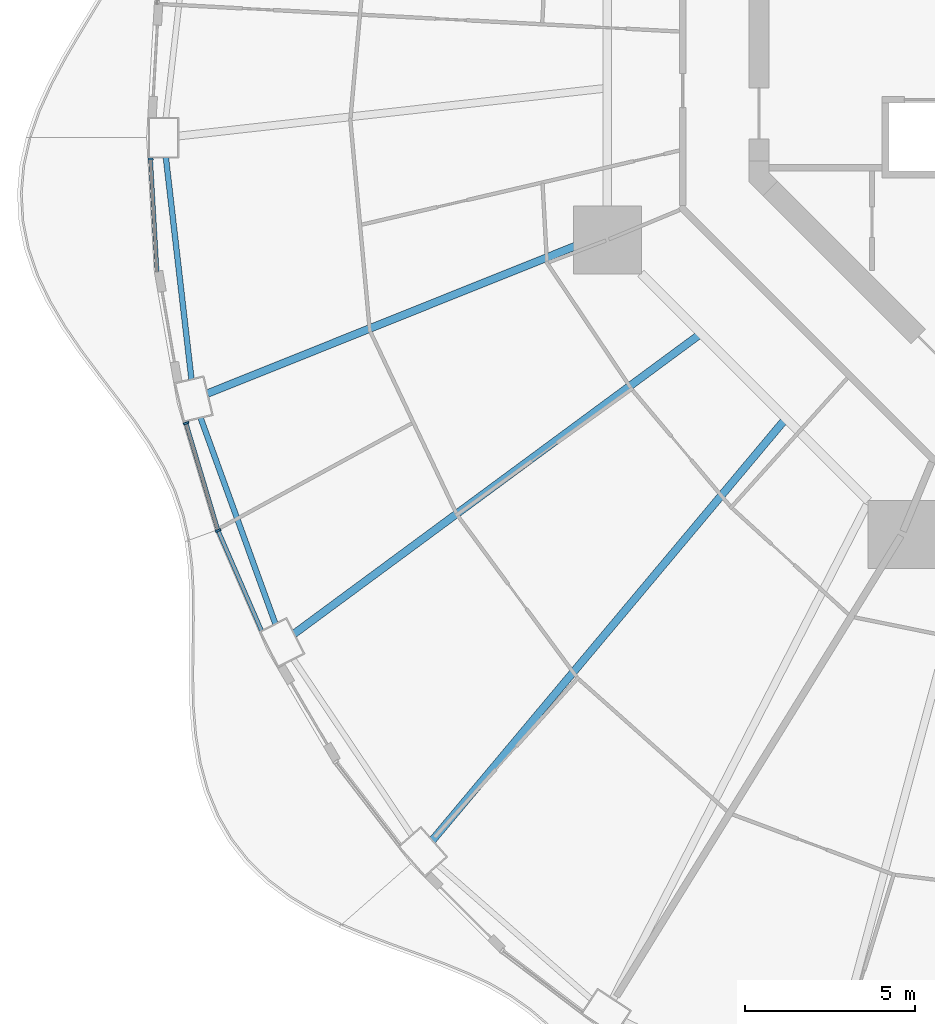
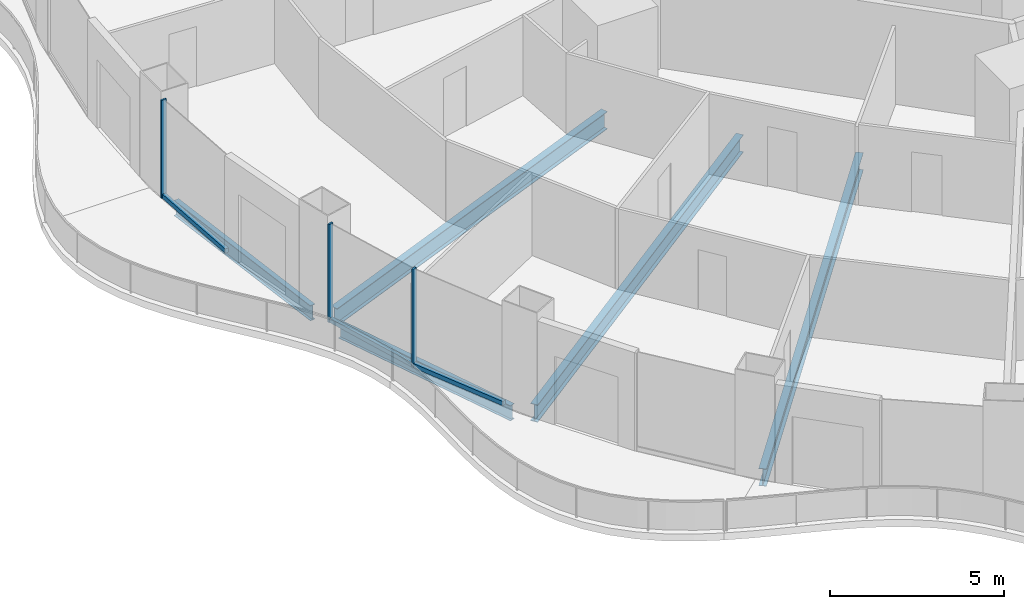
# One storey, part 3 of 20: 6 members, 5 beams, 3 elements without a shape of their own.
"""IFC4 building model written with IfcOpenShell, lengths in metres."""

from ifc_helpers import new_model, si_unit, direction, frame, origin, origin_2d, place, context, subcontext, project, spatial, rectangle, i_section, extrude, material, layer, layer_set, material_profile, profile_set, type_object, element, aggregate, save


model = new_model("IFC4")

# Units and contexts
model_context = context("Model", 3, precision=1e-05, world=origin(), true_north=direction((0.0, 1.0)))
body_context = subcontext(model_context, "Body", "Model", "MODEL_VIEW")
ifc_project = project(units=[si_unit("LENGTHUNIT", "METRE"), si_unit("AREAUNIT", "SQUARE_METRE"), si_unit("VOLUMEUNIT", "CUBIC_METRE"), si_unit("PLANEANGLEUNIT", "RADIAN"), si_unit("MASSUNIT", "GRAM", prefix="KILO")], contexts=[model_context])

# Site, building, storey
site_placement = place(None, origin())
site = spatial("IfcSite", under=ifc_project, at=site_placement, CompositionType="ELEMENT")
building_placement = place(site_placement, origin())
building = spatial("IfcBuilding", under=site, at=building_placement, Name="Nagisa Residences", CompositionType="ELEMENT")
storey_placement = place(building_placement, frame((0.0, 0.0, 145.5)))
storey = spatial("IfcBuildingStorey", under=building, at=storey_placement, Name="L36", CompositionType="ELEMENT", Elevation=145.5)

# Curtain wall, member
ifc_material_1 = material(Name="Concrete-coloured aluminium curtain wall system", Category="concrete")
ifc_layer = layer(ifc_material_1, 0.159912109375)
ifc_layer_set = layer_set([ifc_layer], Name="CW1 CURTAIN WALL")
curtain_wall_type = type_object("IfcCurtainWallType", Name="CW1 CURTAIN WALL", PredefinedType="NOTDEFINED", material=ifc_layer_set)
curtain_wall_1_placement = place(storey_placement, origin())
curtain_wall_1 = element("IfcCurtainWall", 1, at=curtain_wall_1_placement, inside=storey, type_object=curtain_wall_type, Name="cw:CW1:L36:24", PredefinedType="NOTDEFINED")
ifc_material_2 = material(Name="Concrete-coloured aluminium", Category="concrete")
ifc_material_profile_1 = material_profile(ifc_material_2, rectangle(XDim=0.159912109375, YDim=0.06005859375, at=origin_2d()), Name="CW1 MULLION 160x60")
ifc_profile_set_1 = profile_set([ifc_material_profile_1], Name="Concrete-coloured aluminium")
member_type_1 = type_object("IfcMemberType", Name="CW1 MULLION 160x60", PredefinedType="MULLION", material=ifc_profile_set_1)
member_1_placement = place(storey_placement, frame((-28.218994140625, -3.741943359375, 0.0), z_axis=(0.0, 0.0, 1.0), x_axis=(0.998345305184, 0.057503492216, 0.0)))
member_1 = element("IfcMember", 2, at=member_1_placement, type_object=member_type_1, Name="CW1 mullion", PredefinedType="MULLION", context=body_context, shape_type="SweptSolid", body=[
    extrude(rectangle(XDim=0.159912109375, YDim=0.06005859375, at=origin_2d()), origin(), (0.0, 0.0, 1.0), 3.43994140625),
])

curtain_wall_2_placement = place(storey_placement, origin())
curtain_wall_2 = element("IfcCurtainWall", 3, at=curtain_wall_2_placement, inside=storey, type_object=curtain_wall_type, Name="cw:CW1:L36:26", PredefinedType="NOTDEFINED")
member_2_placement = place(storey_placement, frame((-27.174072265625, -11.513671875, 0.0), z_axis=(0.0, 0.0, 1.0), x_axis=(0.958271310082, 0.285860274038, 0.0)))
member_2 = element("IfcMember", 4, at=member_2_placement, type_object=member_type_1, Name="CW1 mullion", PredefinedType="MULLION", context=body_context, shape_type="SweptSolid", body=[
    extrude(rectangle(XDim=0.159912109375, YDim=0.06005859375, at=origin_2d()), origin(), (0.0, 0.0, 1.0), 3.43994140625),
])

curtain_wall_3_placement = place(storey_placement, origin())
curtain_wall_3 = element("IfcCurtainWall", 5, at=curtain_wall_3_placement, inside=storey, type_object=curtain_wall_type, Name="cw:CW1:L36:27", PredefinedType="NOTDEFINED")
member_3_placement = place(storey_placement, frame((-26.229736328125, -14.66845703125, 0.0), z_axis=(0.0, 0.0, 1.0), x_axis=(0.917543276295, 0.397635934147, 0.0)))
member_3 = element("IfcMember", 6, at=member_3_placement, type_object=member_type_1, Name="CW1 mullion", PredefinedType="MULLION", context=body_context, shape_type="SweptSolid", body=[
    extrude(rectangle(XDim=0.159912109375, YDim=0.06005859375, at=origin_2d()), origin(), (0.0, 0.0, 1.0), 3.43994140625),
])

# Member
ifc_material_3 = material(Name="Concrete-coloured aluminium", Category="concrete")
ifc_material_profile_2 = material_profile(ifc_material_3, rectangle(XDim=0.1201171875, YDim=0.14990234375, at=origin_2d()), Name="CW1 TRANSOM 120x150")
ifc_profile_set_2 = profile_set([ifc_material_profile_2], Name="Concrete-coloured aluminium")
member_type_2 = type_object("IfcMemberType", Name="CW1 TRANSOM 120x150", PredefinedType="USERDEFINED", material=ifc_profile_set_2)
member_4_placement = place(storey_placement, frame((-28.220703125, -3.712158203125, 0.074951171875), z_axis=(0.057537829427, -0.998343326809, 0.0), x_axis=(0.998343326809, 0.057537829427, 0.0)))
member_4 = element("IfcMember", 7, at=member_4_placement, type_object=member_type_2, Name="CW1 transom", ObjectType="TRANSOM", PredefinedType="USERDEFINED", context=body_context, shape_type="SweptSolid", body=[
    extrude(rectangle(XDim=0.1201171875, YDim=0.14990234375, at=origin_2d()), origin(), (0.0, 0.0, 1.0), 3.347900390625),
])

aggregate(curtain_wall_1, [member_1, member_4])

member_5_placement = place(storey_placement, frame((-27.1826171875, -11.48486328125, 0.074951171875), z_axis=(0.285842038783, -0.958276749621, 0.0), x_axis=(0.958276749621, 0.285842038783, 0.0)))
member_5 = element("IfcMember", 8, at=member_5_placement, type_object=member_type_2, Name="CW1 transom", ObjectType="TRANSOM", PredefinedType="USERDEFINED", context=body_context, shape_type="SweptSolid", body=[
    extrude(rectangle(XDim=0.1201171875, YDim=0.14990234375, at=origin_2d()), origin(), (0.0, 0.0, 1.0), 3.302734375),
])

aggregate(curtain_wall_2, [member_2, member_5])

member_6_placement = place(storey_placement, frame((-26.24169921875, -14.64111328125, 0.074951171875), z_axis=(0.397666272939, -0.917530127771, 0.0), x_axis=(0.917530127771, 0.397666272939, 0.0)))
member_6 = element("IfcMember", 9, at=member_6_placement, type_object=member_type_2, Name="CW1 transom", ObjectType="TRANSOM", PredefinedType="USERDEFINED", context=body_context, shape_type="SweptSolid", body=[
    extrude(rectangle(XDim=0.1201171875, YDim=0.14990234375, at=origin_2d()), origin(), (0.0, 0.0, 1.0), 3.260498046875),
])

aggregate(curtain_wall_3, [member_3, member_6])

# Beams
ifc_material_4 = material(Name="Steel ASTM A572 Gr 50", Category="steel")
ifc_material_profile_3 = material_profile(ifc_material_4, i_section(OverallWidth=0.166015625, OverallDepth=0.534912109375, WebThickness=0.01025390625, FlangeThickness=0.0166015625, at=origin_2d()), Name="W530x85")
ifc_profile_set_3 = profile_set([ifc_material_profile_3], Name="Steel ASTM A572 Gr 50")
beam_type_1 = type_object("IfcBeamType", Name="Perimeter ring beam W530x85", PredefinedType="BEAM", material=ifc_profile_set_3)
beam_1_placement = place(storey_placement, frame((-27.76806640625, -3.69775390625, -0.527587890625), z_axis=(0.114660786771, -0.993404703017, 0.0), x_axis=(0.993404703017, 0.114660786771, 0.0)))
element("IfcBeam", 10, at=beam_1_placement, inside=storey, type_object=beam_type_1, Name="beam:L36:pb13", PredefinedType="BEAM", context=body_context, shape_type="SweptSolid", body=[
    extrude(i_section(OverallWidth=0.166015625, OverallDepth=0.534912109375, WebThickness=0.01025390625, FlangeThickness=0.0166015625, at=origin_2d()), origin(), (0.0, 0.0, 1.0), 6.568603515625),
])
beam_2_placement = place(storey_placement, frame((-26.74853515625, -11.352294921875, -0.527587890625), z_axis=(0.341366238276, -0.939930365168, 0.0), x_axis=(0.939930365168, 0.341366238276, 0.0)))
element("IfcBeam", 11, at=beam_2_placement, inside=storey, type_object=beam_type_1, Name="beam:L36:pb14", PredefinedType="BEAM", context=body_context, shape_type="SweptSolid", body=[
    extrude(i_section(OverallWidth=0.166015625, OverallDepth=0.534912109375, WebThickness=0.01025390625, FlangeThickness=0.0166015625, at=origin_2d()), origin(), (0.0, 0.0, 1.0), 6.450927734375),
])
ifc_material_5 = material(Name="Steel ASTM A572 Gr 50", Category="steel")
ifc_material_profile_4 = material_profile(ifc_material_5, i_section(OverallWidth=0.22900390625, OverallDepth=0.612060546875, WebThickness=0.011962890625, FlangeThickness=0.01953125, at=origin_2d()), Name="W610x125")
ifc_profile_set_4 = profile_set([ifc_material_profile_4], Name="Steel ASTM A572 Gr 50")
beam_type_2 = type_object("IfcBeamType", Name="Radial beam W610x125", PredefinedType="BEAM", material=ifc_profile_set_4)
beam_3_placement = place(storey_placement, frame((-26.5439453125, -10.641357421875, -0.56591796875), z_axis=(0.928186733156, 0.372114751648, 0.0), x_axis=(-0.372114751648, 0.928186733156, 0.0)))
element("IfcBeam", 12, at=beam_3_placement, inside=storey, type_object=beam_type_2, Name="beam:L36:rb14", PredefinedType="BEAM", context=body_context, shape_type="SweptSolid", body=[
    extrude(i_section(OverallWidth=0.22900390625, OverallDepth=0.612060546875, WebThickness=0.011962890625, FlangeThickness=0.01953125, at=origin_2d()), origin(), (0.0, 0.0, 1.0), 12.554931640625),
])
beam_4_placement = place(storey_placement, frame((-23.995849609375, -17.7060546875, -0.56591796875), z_axis=(0.804660796299, 0.59373479172, 0.0), x_axis=(-0.59373479172, 0.804660796299, 0.0)))
element("IfcBeam", 13, at=beam_4_placement, inside=storey, type_object=beam_type_2, Name="beam:L36:rb15", PredefinedType="BEAM", context=body_context, shape_type="SweptSolid", body=[
    extrude(i_section(OverallWidth=0.22900390625, OverallDepth=0.612060546875, WebThickness=0.011962890625, FlangeThickness=0.01953125, at=origin_2d()), origin(), (0.0, 0.0, 1.0), 14.763427734375),
])
beam_5_placement = place(storey_placement, frame((-19.929931640625, -23.78173828125, -0.56591796875), z_axis=(0.642300860107, 0.766452611128, 0.0), x_axis=(-0.766452611128, 0.642300860107, 0.0)))
element("IfcBeam", 14, at=beam_5_placement, inside=storey, type_object=beam_type_2, Name="beam:L36:rb16", PredefinedType="BEAM", context=body_context, shape_type="SweptSolid", body=[
    extrude(i_section(OverallWidth=0.22900390625, OverallDepth=0.612060546875, WebThickness=0.011962890625, FlangeThickness=0.01953125, at=origin_2d()), origin(), (0.0, 0.0, 1.0), 16.081787109375),
])

save(model, "model.ifc")
